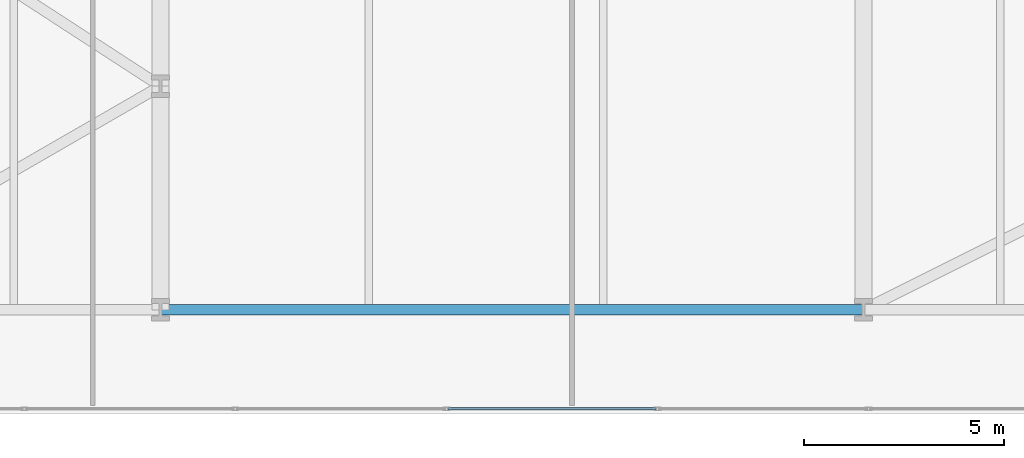
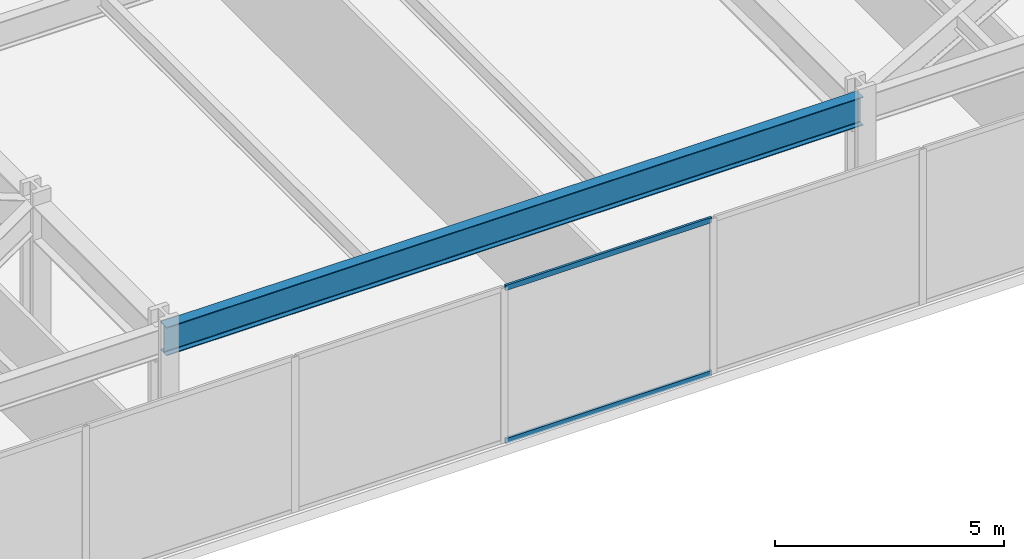
# One storey, part 13 of 30: 2 members, 1 beam, 1 element without a shape of its own.
"""IFC4 building model written with IfcOpenShell, lengths in metres."""

from ifc_helpers import new_model, si_unit, direction, frame, origin, origin_2d, place, context, subcontext, project, spatial, hollow_rectangle, i_section, extrude, material, layer, layer_set, material_profile, profile_set, type_object, element, aggregate, save


model = new_model("IFC4")

# Units and contexts
model_context = context("Model", 3, precision=1e-05, world=origin(), true_north=direction((0.0, 1.0)))
body_context = subcontext(model_context, "Body", "Model", "MODEL_VIEW")
ifc_project = project(units=[si_unit("LENGTHUNIT", "METRE"), si_unit("AREAUNIT", "SQUARE_METRE"), si_unit("VOLUMEUNIT", "CUBIC_METRE"), si_unit("PLANEANGLEUNIT", "RADIAN"), si_unit("MASSUNIT", "GRAM", prefix="KILO")], contexts=[model_context])

# Site, building, storey
site_placement = place(None, origin())
site = spatial("IfcSite", under=ifc_project, at=site_placement, CompositionType="ELEMENT")
building_placement = place(site_placement, origin())
building = spatial("IfcBuilding", under=site, at=building_placement, Name="Kravanh Interchange Tower", CompositionType="ELEMENT")
storey_placement = place(building_placement, frame((0.0, 0.0, 19.800048828125)))
storey = spatial("IfcBuildingStorey", under=building, at=storey_placement, Name="L04", CompositionType="ELEMENT", Elevation=19.800048828125)

# Curtain wall, members
ifc_material_1 = material(Name="Anodised Bronze Aluminium", Category="aluminium")
ifc_layer = layer(ifc_material_1, 0.179931640625)
ifc_layer_set = layer_set([ifc_layer], Name="Unitised Curtain Wall System CW-POD Podium Concourse")
curtain_wall_type = type_object("IfcCurtainWallType", Name="Unitised Curtain Wall System CW-POD Podium Concourse", PredefinedType="NOTDEFINED", material=ifc_layer_set)
curtain_wall_placement = place(storey_placement, origin())
curtain_wall = element("IfcCurtainWall", 1, at=curtain_wall_placement, inside=storey, type_object=curtain_wall_type, Name="L04 Unitised Curtain Wall CW-L04-04", PredefinedType="NOTDEFINED")
ifc_material_2 = material(Name="Anodised Bronze Aluminium", Category="aluminium")
ifc_material_profile_1 = material_profile(ifc_material_2, hollow_rectangle(XDim=0.06005859375, YDim=0.139892578125, WallThickness=0.00390625, at=origin_2d()), Name="ALU60X140X4")
ifc_profile_set_1 = profile_set([ifc_material_profile_1], Name="Anodised Bronze Aluminium")
member_type = type_object("IfcMemberType", Name="Curtain Wall Transom ALU60X140X4 Bronze", PredefinedType="USERDEFINED", material=ifc_profile_set_1)
member_1_placement = place(storey_placement, frame((39.607421875, 0.1201171875, 0.030029296875), z_axis=(-1.0, 0.0, 0.0), x_axis=(0.0, -1.0, 0.0)))
member_1 = element("IfcMember", 2, at=member_1_placement, type_object=member_type, Name="CW-POD transom 7.1", ObjectType="TRANSOM", PredefinedType="USERDEFINED", context=body_context, shape_type="SweptSolid", body=[
    extrude(hollow_rectangle(XDim=0.06005859375, YDim=0.139892578125, WallThickness=0.00390625, at=origin_2d()), origin(), (0.0, 0.0, 1.0), 5.21484375),
])
member_2_placement = place(storey_placement, frame((39.607421875, 0.1201171875, 4.119873046875), z_axis=(-1.0, 0.0, 0.0), x_axis=(0.0, -1.0, 0.0)))
member_2 = element("IfcMember", 3, at=member_2_placement, type_object=member_type, Name="CW-POD transom 7.2", ObjectType="TRANSOM", PredefinedType="USERDEFINED", context=body_context, shape_type="SweptSolid", body=[
    extrude(hollow_rectangle(XDim=0.06005859375, YDim=0.139892578125, WallThickness=0.00390625, at=origin_2d()), origin(), (0.0, 0.0, 1.0), 5.21484375),
])
aggregate(curtain_wall, [member_1, member_2])

# Beam
ifc_material_3 = material(Name="Structural Steel S355", Category="steel")
ifc_material_profile_2 = material_profile(ifc_material_3, i_section(OverallWidth=0.26708984375, OverallDepth=0.761962890625, WebThickness=0.014404296875, FlangeThickness=0.021484375, FilletRadius=0.02490234375, at=origin_2d()), Name="W30X116")
ifc_profile_set_2 = profile_set([ifc_material_profile_2], Name="Structural Steel S355")
beam_type = type_object("IfcBeamType", Name="Floor Spandrel W30X116 Structural Steel S355", PredefinedType="SPANDREL", material=ifc_profile_set_2)
beam_placement = place(storey_placement, frame((27.199951171875, 2.60009765625, 3.76904296875), z_axis=(1.0, 0.0, 0.0), x_axis=(0.0, 1.0, 0.0)))
element("IfcBeam", 4, at=beam_placement, inside=storey, type_object=beam_type, Name="L04 Perimeter Spandrel 9", PredefinedType="SPANDREL", context=body_context, shape_type="SweptSolid", body=[
    extrude(i_section(OverallWidth=0.26708984375, OverallDepth=0.761962890625, WebThickness=0.014404296875, FlangeThickness=0.021484375, FilletRadius=0.02490234375, at=origin_2d()), origin(), (0.0, 0.0, 1.0), 17.60009765625),
])

save(model, "model.ifc")
